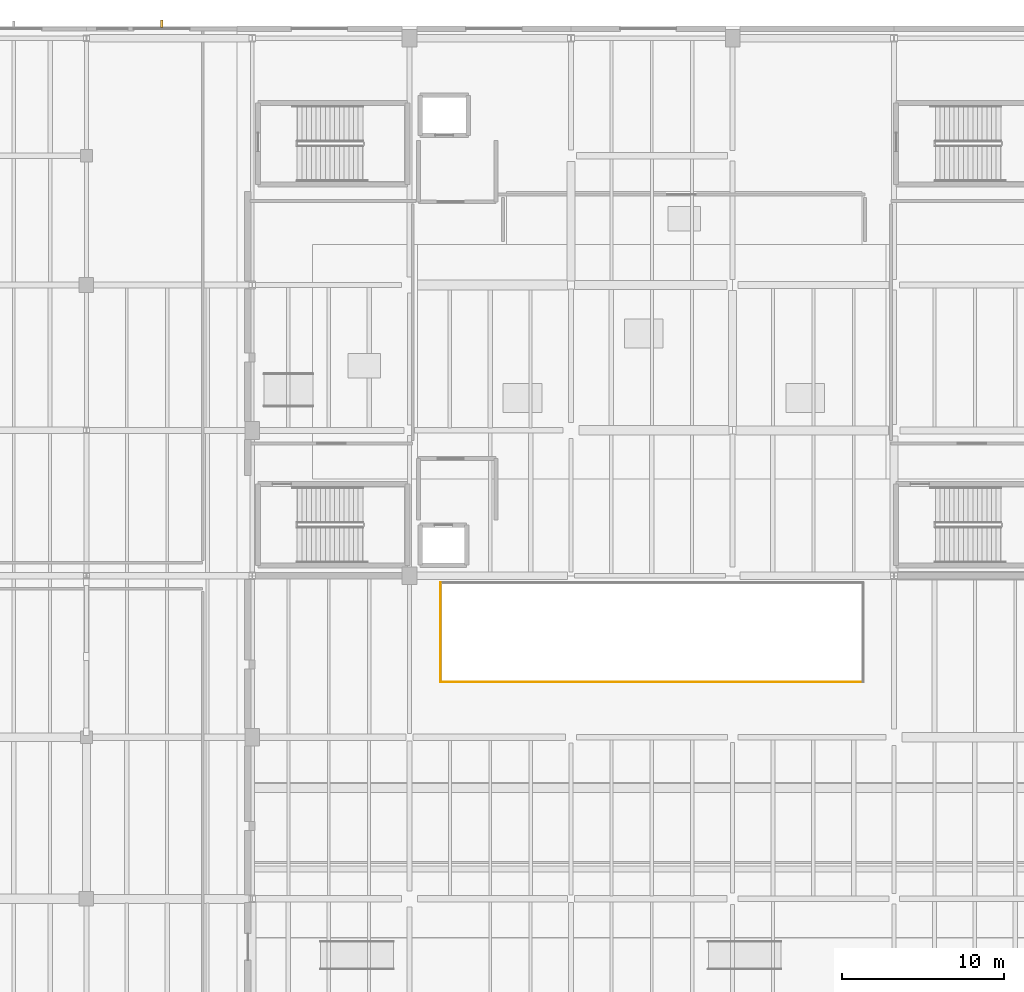
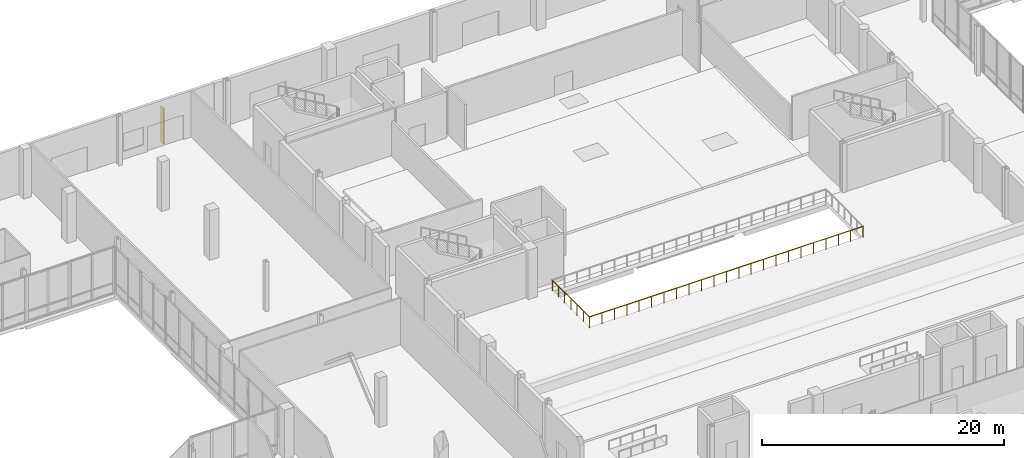
# One storey, part 82 of 88: 2 railings, 1 shading device.
"""IFC4 building model written with IfcOpenShell, lengths in metres."""

from ifc_helpers import new_model, si_unit, direction, frame, origin, origin_2d, place, context, subcontext, project, spatial, rectangle, circle, extrude, material, type_object, element, save


model = new_model("IFC4")

# Units and contexts
model_context = context("Model", 3, precision=1e-05, world=origin(), true_north=direction((0.0, 1.0)))
body_context = subcontext(model_context, "Body", "Model", "MODEL_VIEW")
ifc_project = project(units=[si_unit("LENGTHUNIT", "METRE"), si_unit("AREAUNIT", "SQUARE_METRE"), si_unit("VOLUMEUNIT", "CUBIC_METRE"), si_unit("PLANEANGLEUNIT", "RADIAN"), si_unit("MASSUNIT", "GRAM", prefix="KILO")], contexts=[model_context])

# Site, building, storey
site_placement = place(None, origin())
site = spatial("IfcSite", under=ifc_project, at=site_placement, CompositionType="ELEMENT")
building_placement = place(site_placement, origin())
building = spatial("IfcBuilding", under=site, at=building_placement, Name="Trimount Lyric Opera House", CompositionType="ELEMENT")
storey_placement = place(building_placement, origin())
storey = spatial("IfcBuildingStorey", under=building, at=storey_placement, Name="L00", CompositionType="ELEMENT", Elevation=0.0)

# Railings
ifc_material_1 = material(Name="Bronze and Laminated Acoustic Glass", Category="glass")
railing_type = type_object("IfcRailingType", Name="RL-BAL112", PredefinedType="BALUSTRADE", material=ifc_material_1)
railing_1_placement = place(storey_placement, frame((75.919921875, 77.419921875, 0.0)))
element("IfcRailing", 1, at=railing_1_placement, inside=storey, type_object=railing_type, Name="L00 atrium and balcony guard GRD-PIT-L00-S", PredefinedType="BALUSTRADE", context=body_context, shape_type="SweptSolid", body=[
    extrude(circle(Radius=0.02734375, at=origin_2d()), frame((0.0, 0.0, 1.0927734375), z_axis=(1.0, 0.0, 0.0), x_axis=(0.0, 1.0, 0.0)), (0.0, 0.0, 1.0), 26.16015625),
    extrude(circle(Radius=0.02099609375, at=origin_2d()), origin(), (0.0, 0.0, 1.0), 1.065185546875),
    extrude(circle(Radius=0.02099609375, at=origin_2d()), frame((1.189208984375, 0.0, 0.0)), (0.0, 0.0, 1.0), 1.065185546875),
    extrude(circle(Radius=0.02099609375, at=origin_2d()), frame((2.378173828125, 0.0, 0.0)), (0.0, 0.0, 1.0), 1.065185546875),
    extrude(circle(Radius=0.02099609375, at=origin_2d()), frame((3.5673828125, 0.0, 0.0)), (0.0, 0.0, 1.0), 1.065185546875),
    extrude(circle(Radius=0.02099609375, at=origin_2d()), frame((4.75634765625, 0.0, 0.0)), (0.0, 0.0, 1.0), 1.065185546875),
    extrude(circle(Radius=0.02099609375, at=origin_2d()), frame((5.945556640625, 0.0, 0.0)), (0.0, 0.0, 1.0), 1.065185546875),
    extrude(circle(Radius=0.02099609375, at=origin_2d()), frame((7.134521484375, 0.0, 0.0)), (0.0, 0.0, 1.0), 1.065185546875),
    extrude(circle(Radius=0.02099609375, at=origin_2d()), frame((8.32373046875, 0.0, 0.0)), (0.0, 0.0, 1.0), 1.065185546875),
    extrude(circle(Radius=0.02099609375, at=origin_2d()), frame((9.5126953125, 0.0, 0.0)), (0.0, 0.0, 1.0), 1.065185546875),
    extrude(circle(Radius=0.02099609375, at=origin_2d()), frame((10.701904296875, 0.0, 0.0)), (0.0, 0.0, 1.0), 1.065185546875),
    extrude(circle(Radius=0.02099609375, at=origin_2d()), frame((11.890869140625, 0.0, 0.0)), (0.0, 0.0, 1.0), 1.065185546875),
    extrude(circle(Radius=0.02099609375, at=origin_2d()), frame((13.080078125, 0.0, 0.0)), (0.0, 0.0, 1.0), 1.065185546875),
    extrude(circle(Radius=0.02099609375, at=origin_2d()), frame((14.269287109375, 0.0, 0.0)), (0.0, 0.0, 1.0), 1.065185546875),
    extrude(circle(Radius=0.02099609375, at=origin_2d()), frame((15.458251953125, 0.0, 0.0)), (0.0, 0.0, 1.0), 1.065185546875),
    extrude(circle(Radius=0.02099609375, at=origin_2d()), frame((16.6474609375, 0.0, 0.0)), (0.0, 0.0, 1.0), 1.065185546875),
    extrude(circle(Radius=0.02099609375, at=origin_2d()), frame((17.83642578125, 0.0, 0.0)), (0.0, 0.0, 1.0), 1.065185546875),
    extrude(circle(Radius=0.02099609375, at=origin_2d()), frame((19.025634765625, 0.0, 0.0)), (0.0, 0.0, 1.0), 1.065185546875),
    extrude(circle(Radius=0.02099609375, at=origin_2d()), frame((20.214599609375, 0.0, 0.0)), (0.0, 0.0, 1.0), 1.065185546875),
    extrude(circle(Radius=0.02099609375, at=origin_2d()), frame((21.40380859375, 0.0, 0.0)), (0.0, 0.0, 1.0), 1.065185546875),
    extrude(circle(Radius=0.02099609375, at=origin_2d()), frame((22.5927734375, 0.0, 0.0)), (0.0, 0.0, 1.0), 1.065185546875),
    extrude(circle(Radius=0.02099609375, at=origin_2d()), frame((23.781982421875, 0.0, 0.0)), (0.0, 0.0, 1.0), 1.065185546875),
    extrude(circle(Radius=0.02099609375, at=origin_2d()), frame((24.970947265625, 0.0, 0.0)), (0.0, 0.0, 1.0), 1.065185546875),
    extrude(circle(Radius=0.02099609375, at=origin_2d()), frame((26.16015625, 0.0, 0.0)), (0.0, 0.0, 1.0), 1.065185546875),
])
railing_2_placement = place(storey_placement, frame((75.919921875, 83.580078125, 0.0)))
element("IfcRailing", 2, at=railing_2_placement, inside=storey, type_object=railing_type, Name="L00 atrium and balcony guard GRD-PIT-L00-W", PredefinedType="BALUSTRADE", context=body_context, shape_type="SweptSolid", body=[
    extrude(circle(Radius=0.02734375, at=origin_2d()), frame((0.0, 0.0, 1.0927734375), z_axis=(0.0, -1.0, 0.0), x_axis=(1.0, 0.0, 0.0)), (0.0, 0.0, 1.0), 6.16015625),
    extrude(circle(Radius=0.02099609375, at=origin_2d()), origin(), (0.0, 0.0, 1.0), 1.065185546875),
    extrude(circle(Radius=0.02099609375, at=origin_2d()), frame((0.0, -1.026611328125, 0.0)), (0.0, 0.0, 1.0), 1.065185546875),
    extrude(circle(Radius=0.02099609375, at=origin_2d()), frame((0.0, -2.053466796875, 0.0)), (0.0, 0.0, 1.0), 1.065185546875),
    extrude(circle(Radius=0.02099609375, at=origin_2d()), frame((0.0, -3.080078125, 0.0)), (0.0, 0.0, 1.0), 1.065185546875),
    extrude(circle(Radius=0.02099609375, at=origin_2d()), frame((0.0, -4.106689453125, 0.0)), (0.0, 0.0, 1.0), 1.065185546875),
    extrude(circle(Radius=0.02099609375, at=origin_2d()), frame((0.0, -5.133544921875, 0.0)), (0.0, 0.0, 1.0), 1.065185546875),
    extrude(circle(Radius=0.02099609375, at=origin_2d()), frame((0.0, -6.16015625, 0.0)), (0.0, 0.0, 1.0), 1.065185546875),
])

# Shading device
ifc_material_2 = material(Name="Extruded Bronze Vertical Acoustic Fin")
shading_device_type = type_object("IfcShadingDeviceType", Name="SHD-FIN1", PredefinedType="USERDEFINED", material=ifc_material_2)
shading_device_placement = place(storey_placement, frame((58.659912109375, 118.179931640625, 0.0), z_axis=(0.0, 0.0, 1.0), x_axis=(1.0, 0.0, 0.0)))
element("IfcShadingDevice", 3, at=shading_device_placement, inside=storey, type_object=shading_device_type, Name="Vertical architectural facade fin 017", ObjectType="FIN", PredefinedType="USERDEFINED", context=body_context, shape_type="SweptSolid", body=[
    extrude(rectangle(XDim=0.139892578125, YDim=0.449951171875, at=origin_2d()), origin(), (0.0, 0.0, 1.0), 3.60009765625),
])

save(model, "model.ifc")
